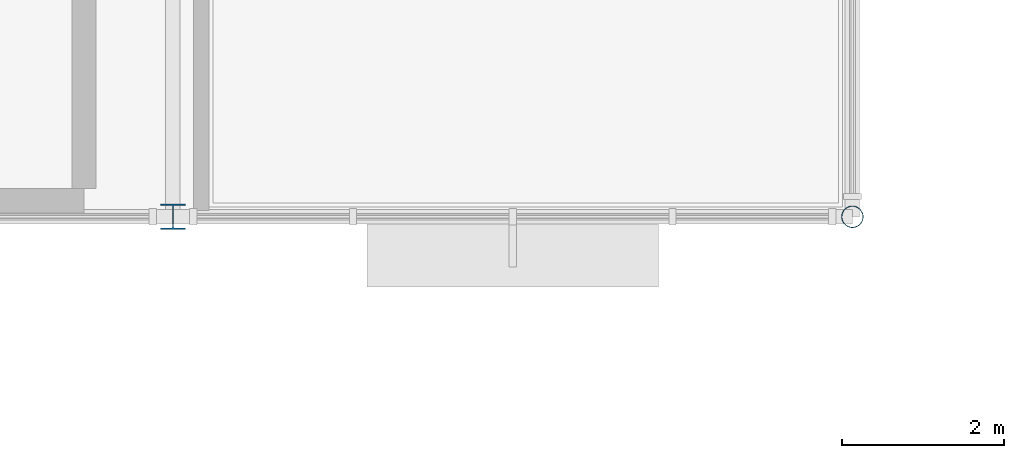
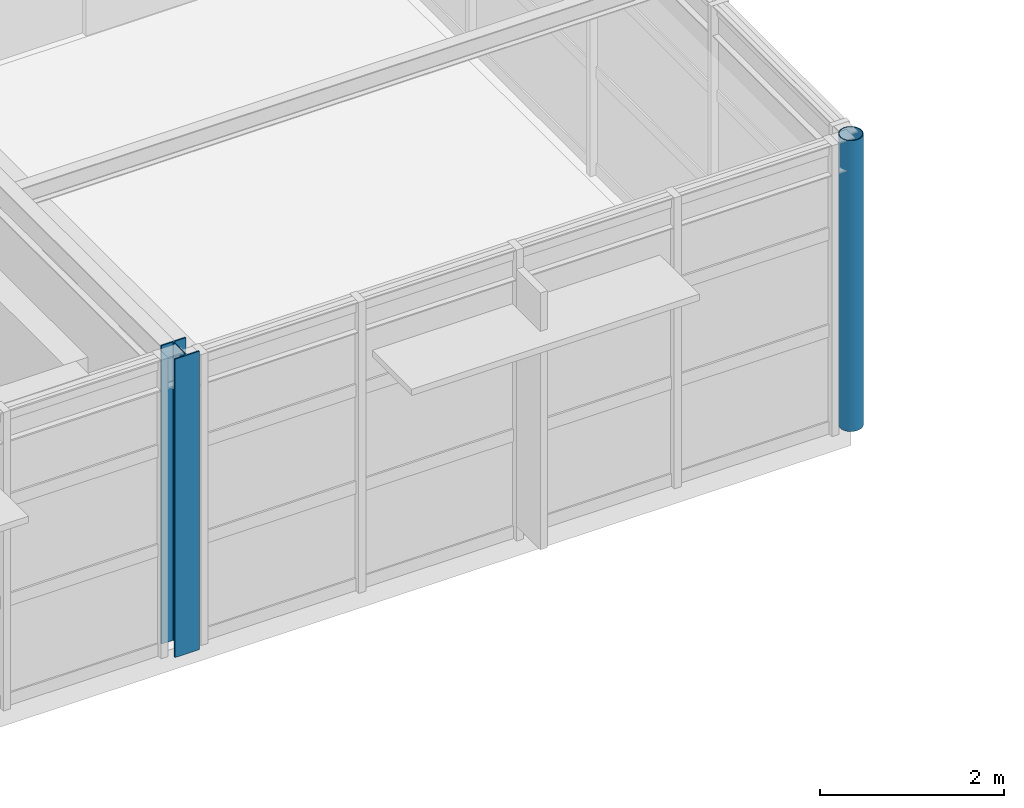
# One storey, part 2 of 21: 2 columns.
"""IFC4 building model written with IfcOpenShell, lengths in metres."""

import ifcopenshell
import ifcopenshell.guid

model = None  # the IFC model being written
_history = None  # IfcOwnerHistory: only IFC2X3 demands one
_inside = {}  # id of a spatial element -> (the spatial element, [elements in it])
_under = {}  # id of a project, library or spatial element -> (it, [spatial elements below it])
_declared = {}  # id of a project -> (the project, [libraries it declares])
_typed = {}  # id of a type object -> (the type object, [elements of that type])
_made_of = {}  # id of a material, layer set ... -> (it, [elements and type objects made of it])


def new_model(schema):
    """Start an empty IFC model of exactly this schema.

    Asked for "IFC4X3", IfcOpenShell would pick the latest addendum, in which some entities
    have other attributes; the version numbers below select the first issue.
    IFC2X3 requires an IfcOwnerHistory on every rooted entity: one is made here for all.
    """
    global model, _history
    if schema == "IFC4X3":
        model = ifcopenshell.file(schema_version=(4, 3, 0, 0))
    else:
        model = ifcopenshell.file(schema=schema)
    _inside.clear()
    _under.clear()
    _declared.clear()
    _typed.clear()
    _made_of.clear()
    _history = None
    if model.schema == "IFC2X3":
        org = make("IfcOrganization", Name="unknown")
        user = make(
            "IfcPersonAndOrganization",
            ThePerson=make("IfcPerson", FamilyName="unknown"),
            TheOrganization=org,
        )
        app = make(
            "IfcApplication",
            ApplicationDeveloper=org,
            Version="unknown",
            ApplicationFullName="unknown",
            ApplicationIdentifier="unknown",
        )
        _history = make(
            "IfcOwnerHistory",
            OwningUser=user,
            OwningApplication=app,
            ChangeAction="ADDED",
            CreationDate=0,
        )
    return model


def make(cls, **values):
    """One entity of the class cls with the attributes given. An attribute that is None is left unset."""
    return model.create_entity(
        cls, **{name: value for name, value in values.items() if value is not None}
    )


def rooted(cls, **values):
    """An entity with a GlobalId (a new one), such as an element, a storey or a relation."""
    return make(cls, GlobalId=ifcopenshell.guid.new(), OwnerHistory=_history, **values)


def si_unit(unit_type, name, prefix=None):
    """IfcSIUnit, for example si_unit("LENGTHUNIT", "METRE", prefix="MILLI")."""
    return make("IfcSIUnit", UnitType=unit_type, Prefix=prefix, Name=name)


def assignment(units):
    """IfcUnitAssignment: the units of a project."""
    return None if units is None else make("IfcUnitAssignment", Units=units)


def point(xyz):
    """IfcCartesianPoint."""
    return None if xyz is None else make("IfcCartesianPoint", Coordinates=xyz)


def direction(xyz):
    """IfcDirection."""
    return None if xyz is None else make("IfcDirection", DirectionRatios=xyz)


def frame(location, z_axis=None, x_axis=None):
    """IfcAxis2Placement3D, a coordinate frame: its origin and axes. An axis left out is left unset."""
    return make(
        "IfcAxis2Placement3D",
        Location=point(location),
        Axis=direction(z_axis),
        RefDirection=direction(x_axis),
    )


def frame_2d(location, x_axis=None):
    """IfcAxis2Placement2D, a coordinate frame in the plane: its origin and x axis."""
    return make(
        "IfcAxis2Placement2D", Location=point(location), RefDirection=direction(x_axis)
    )


def origin():
    """The frame at (0, 0, 0) with its axes left unset."""
    return frame((0.0, 0.0, 0.0))


def origin_2d():
    """The frame at (0, 0) in the plane with its x axis left unset."""
    return frame_2d((0.0, 0.0))


def place(relative_to, where):
    """IfcLocalPlacement: puts the frame where relative to a parent placement (None: the world)."""
    return make(
        "IfcLocalPlacement", PlacementRelTo=relative_to, RelativePlacement=where
    )


def context(
    kind, dimensions, precision=None, world=None, true_north=None, identifier=None
):
    """IfcGeometricRepresentationContext, for example the 3D "Model" context."""
    return make(
        "IfcGeometricRepresentationContext",
        ContextIdentifier=identifier,
        ContextType=kind,
        CoordinateSpaceDimension=dimensions,
        Precision=precision,
        WorldCoordinateSystem=world,
        TrueNorth=true_north,
    )


def subcontext(parent, identifier, kind, view, scale=None):
    """IfcGeometricRepresentationSubContext, for example "Body" below "Model"."""
    return make(
        "IfcGeometricRepresentationSubContext",
        ContextIdentifier=identifier,
        ContextType=kind,
        ParentContext=parent,
        TargetScale=scale,
        TargetView=view,
    )


def project(units=None, contexts=None):
    """IfcProject with its units and contexts."""
    return rooted(
        "IfcProject",
        Name="project",
        RepresentationContexts=contexts,
        UnitsInContext=assignment(units),
    )


def spatial(cls, under=None, at=None, **own):
    """A site, building, storey or space (cls), placed at a placement, below another one or the project."""
    s = rooted(cls, ObjectPlacement=at, **own)
    if under is not None:
        _under.setdefault(under.id(), (under, []))[1].append(s)
    return s


def profile(cls, at=None, kind="AREA", **sizes):
    """A parametric profile (cls). Its sizes go by their IFC names, for example OverallWidth=200.0."""
    return make(cls, ProfileType=kind, Position=at, **sizes)


def hollow_circle(**sizes):
    """IfcCircleHollowProfileDef."""
    return profile("IfcCircleHollowProfileDef", **sizes)


def i_section(**sizes):
    """IfcIShapeProfileDef."""
    return profile("IfcIShapeProfileDef", **sizes)


def extrude(swept, where, along, depth):
    """IfcExtrudedAreaSolid: the profile swept, set in the frame where, extruded along a direction by depth."""
    return make(
        "IfcExtrudedAreaSolid",
        SweptArea=swept,
        Position=where,
        ExtrudedDirection=direction(along),
        Depth=depth,
    )


def shape(context_of_items, identifier, shape_type, items):
    """IfcShapeRepresentation: the items that make up one representation, for example the "Body"."""
    return make(
        "IfcShapeRepresentation",
        ContextOfItems=context_of_items,
        RepresentationIdentifier=identifier,
        RepresentationType=shape_type,
        Items=items,
    )


def material(Name=None, Category=None):
    """IfcMaterial."""
    return make("IfcMaterial", Name=Name, Category=Category)


def material_profile(
    of_material, cross_section, Name=None, Category=None, Priority=None
):
    """IfcMaterialProfile: a cross section and its material."""
    return make(
        "IfcMaterialProfile",
        Name=Name,
        Material=of_material,
        Profile=cross_section,
        Priority=Priority,
        Category=Category,
    )


def profile_set(profiles, Name=None, composite=None):
    """IfcMaterialProfileSet."""
    return make(
        "IfcMaterialProfileSet",
        Name=Name,
        MaterialProfiles=profiles,
        CompositeProfile=composite,
    )


def made_of(thing, what):
    """Note that an element or type object is made of a material, layer set ...; save() writes the relation."""
    if what is not None:
        _made_of.setdefault(what.id(), (what, []))[1].append(thing)
    return thing


def type_object(cls, material=None, **own):
    """A type object (cls), such as IfcWallType, which elements share."""
    return made_of(rooted(cls, **own), material)


def element(
    cls,
    number,
    at=None,
    inside=None,
    cuts=None,
    type_object=None,
    material=None,
    context=None,
    identifier="Body",
    shape_type=None,
    held_by="IfcProductDefinitionShape",
    body=None,
    shapes=None,
    **own,
):
    """One element of the class cls, such as IfcWall. Its Tag is "e" and its number.

    at: its placement. inside: the storey or other place that contains it. cuts: it is an
    opening in that element (IfcRelVoidsElement). A single representation is given by context,
    identifier, shape_type and body (its items); several are given by shapes. held_by: the class
    of the entity that holds the representations. save() writes the other relations.
    """
    e = rooted(cls, Tag="e%d" % number, ObjectPlacement=at, **own)
    if body is not None:
        shapes = [shape(context, identifier, shape_type, body)]
    if shapes is not None:
        e.Representation = make(held_by, Representations=shapes)
    if inside is not None:
        _inside.setdefault(inside.id(), (inside, []))[1].append(e)
    if cuts is not None:
        rooted(
            "IfcRelVoidsElement", RelatingBuildingElement=cuts, RelatedOpeningElement=e
        )
    if type_object is not None:
        _typed.setdefault(type_object.id(), (type_object, []))[1].append(e)
    return made_of(e, material)


def aggregate(whole, parts):
    """IfcRelAggregates: a whole, such as a stair, and the parts it consists of."""
    return rooted("IfcRelAggregates", RelatingObject=whole, RelatedObjects=parts)


def save(model, path):
    """Write the relations noted so far, then the file.

    IfcRelAggregates (storeys below a building ...), IfcRelContainedInSpatialStructure (elements
    in a storey), IfcRelDefinesByType, IfcRelAssociatesMaterial and IfcRelDeclares: one each for
    every whole, place, type object, material and project.
    """
    for whole, parts in _under.values():
        aggregate(whole, parts)
    for where, things in _inside.values():
        rooted(
            "IfcRelContainedInSpatialStructure",
            RelatedElements=things,
            RelatingStructure=where,
        )
    for kind, things in _typed.values():
        rooted("IfcRelDefinesByType", RelatedObjects=things, RelatingType=kind)
    for what, things in _made_of.values():
        rooted("IfcRelAssociatesMaterial", RelatedObjects=things, RelatingMaterial=what)
    for by, libraries in _declared.values():
        rooted("IfcRelDeclares", RelatingContext=by, RelatedDefinitions=libraries)
    model.write(path)


model = new_model("IFC4")

# Units and contexts
model_context = context("Model", 3, precision=1e-05, world=origin(), true_north=direction((0.0, 1.0)))
body_context = subcontext(model_context, "Body", "Model", "MODEL_VIEW")
ifc_project = project(units=[si_unit("LENGTHUNIT", "METRE"), si_unit("AREAUNIT", "SQUARE_METRE"), si_unit("VOLUMEUNIT", "CUBIC_METRE"), si_unit("PLANEANGLEUNIT", "RADIAN"), si_unit("MASSUNIT", "GRAM", prefix="KILO")], contexts=[model_context])

# Site, building, storey
site_placement = place(None, origin())
site = spatial("IfcSite", under=ifc_project, at=site_placement, CompositionType="ELEMENT")
building_placement = place(site_placement, origin())
building = spatial("IfcBuilding", under=site, at=building_placement, Name="Sitalva Quay Ferry Terminal", CompositionType="ELEMENT")
storey_placement = place(building_placement, frame((0.0, 0.0, 14.39990234375)))
storey = spatial("IfcBuildingStorey", under=building, at=storey_placement, Name="L04", CompositionType="ELEMENT", Elevation=14.39990234375)

# Columns
ifc_material_1 = material(Name="Structural Steel S355JR", Category="steel")
ifc_material_profile_1 = material_profile(ifc_material_1, hollow_circle(Radius=0.136474609375, WallThickness=0.010009765625, at=origin_2d()), Name="CHS273x10")
ifc_profile_set_1 = profile_set([ifc_material_profile_1], Name="Structural Steel S355JR")
column_type_1 = type_object("IfcColumnType", Name="Col_CHS273x10", PredefinedType="COLUMN", material=ifc_profile_set_1)
column_1_placement = place(storey_placement, frame((126.0, 78.0, 0.0), z_axis=(0.0, 0.0, 1.0), x_axis=(1.0, 0.0, 0.0)))
element("IfcColumn", 1, at=column_1_placement, inside=storey, type_object=column_type_1, Name="L04 column 16J", PredefinedType="COLUMN", context=body_context, shape_type="SweptSolid", body=[
    extrude(hollow_circle(Radius=0.136474609375, WallThickness=0.010009765625, at=origin_2d()), origin(), (0.0, 0.0, 1.0), 3.85009765625),
])
ifc_material_2 = material(Name="Structural Steel S355JR", Category="steel")
ifc_material_profile_2 = material_profile(ifc_material_2, i_section(OverallWidth=0.305908203125, OverallDepth=0.31103515625, WebThickness=0.010986328125, FlangeThickness=0.01708984375, FilletRadius=0.014892578125, at=origin_2d()), Name="W310x107")
ifc_profile_set_2 = profile_set([ifc_material_profile_2], Name="Structural Steel S355JR")
column_type_2 = type_object("IfcColumnType", Name="Col_W310x107", PredefinedType="COLUMN", material=ifc_profile_set_2)
column_2_placement = place(storey_placement, frame((117.60009765625, 78.0, 0.0), z_axis=(0.0, 0.0, 1.0), x_axis=(1.0, 0.0, 0.0)))
element("IfcColumn", 2, at=column_2_placement, inside=storey, type_object=column_type_2, Name="L04 column 15J", PredefinedType="COLUMN", context=body_context, shape_type="SweptSolid", body=[
    extrude(i_section(OverallWidth=0.305908203125, OverallDepth=0.31103515625, WebThickness=0.010986328125, FlangeThickness=0.01708984375, FilletRadius=0.014892578125, at=origin_2d()), origin(), (0.0, 0.0, 1.0), 3.9501953125),
])

save(model, "model.ifc")
